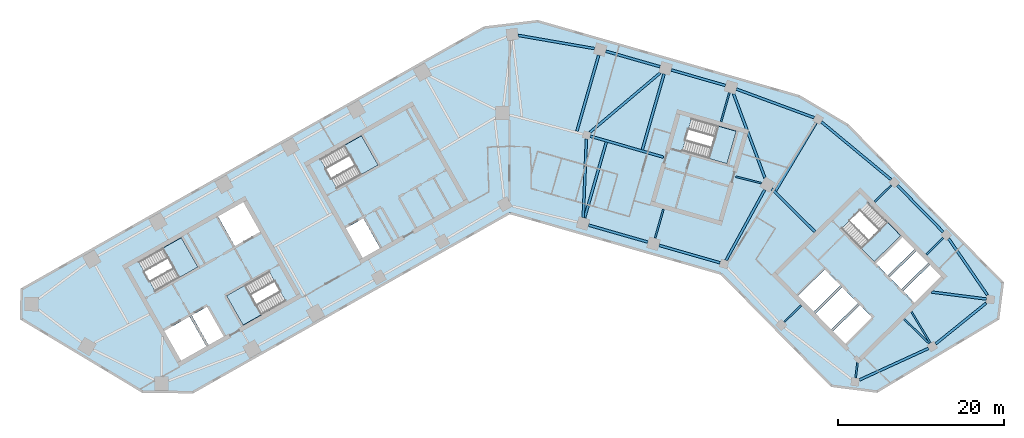
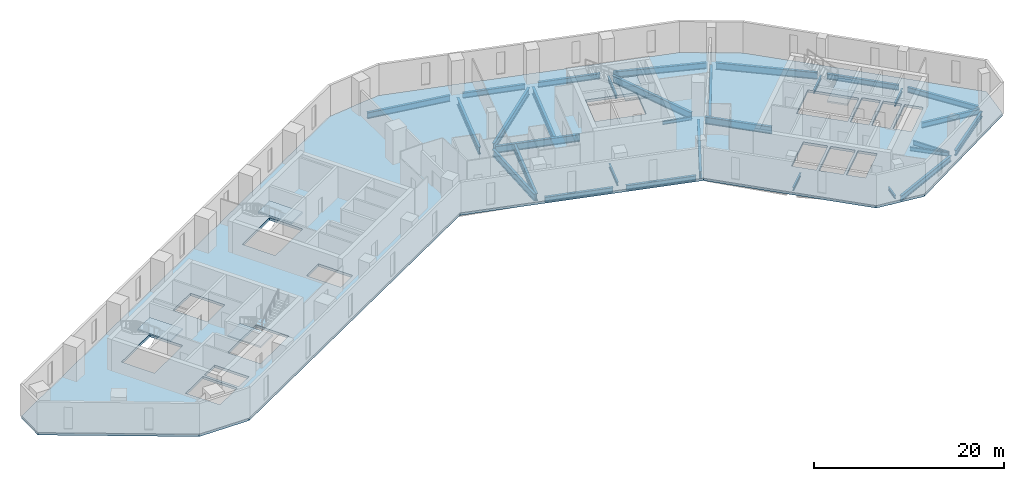
# One storey, part 2 of 10: 31 beams, 6 slabs, 5 elements without a shape of their own.
"""IFC4 building model written with IfcOpenShell, lengths in metres."""

from ifc_helpers import new_model, si_unit, direction, frame, origin, origin_2d, place, context, subcontext, project, spatial, polyline, i_section, outline, extrude, material, layer, layer_set, material_profile, profile_set, type_object, element, aggregate, save


model = new_model("IFC4")

# Units and contexts
model_context = context("Model", 3, precision=1e-05, world=origin(), true_north=direction((0.0, 1.0)))
body_context = subcontext(model_context, "Body", "Model", "MODEL_VIEW")
ifc_project = project(units=[si_unit("LENGTHUNIT", "METRE"), si_unit("AREAUNIT", "SQUARE_METRE"), si_unit("VOLUMEUNIT", "CUBIC_METRE"), si_unit("PLANEANGLEUNIT", "RADIAN"), si_unit("MASSUNIT", "GRAM", prefix="KILO")], contexts=[model_context])

# Site, building, storey
site_placement = place(None, origin())
site = spatial("IfcSite", under=ifc_project, at=site_placement, CompositionType="ELEMENT")
building_placement = place(site_placement, origin())
building = spatial("IfcBuilding", under=site, at=building_placement, Name="Binnacle Exchange Tower", CompositionType="ELEMENT")
storey_placement = place(building_placement, frame((0.0, 0.0, 145.5)))
storey = spatial("IfcBuildingStorey", under=building, at=storey_placement, Name="L30", CompositionType="ELEMENT", Elevation=145.5)

# Beams
ifc_material_1 = material(Name="Steel S355 (SHN355)", Category="steel")
ifc_material_profile_1 = material_profile(ifc_material_1, i_section(OverallWidth=0.300048828125, OverallDepth=0.699951171875, WebThickness=0.012939453125, FlangeThickness=0.02392578125, FilletRadius=0.028076171875, at=origin_2d()), Name="H 700x300x13x24")
ifc_profile_set_1 = profile_set([ifc_material_profile_1], Name="Steel S355 (SHN355)")
beam_type_1 = type_object("IfcBeamType", Name="Edge girder H 700x300x13x24 Steel S355 (SHN355)", PredefinedType="SPANDREL", material=ifc_profile_set_1)
beam_1_placement = place(storey_placement, frame((9.482421875, 46.529296875, -0.669921875), z_axis=(0.961257800717, -0.275650939705, 0.0), x_axis=(0.275650939705, 0.961257800717, 0.0)))
element("IfcBeam", 1, at=beam_1_placement, inside=storey, type_object=beam_type_1, Name="S:BM:edge:L30:030", PredefinedType="SPANDREL", context=body_context, shape_type="SweptSolid", body=[
    extrude(i_section(OverallWidth=0.300048828125, OverallDepth=0.699951171875, WebThickness=0.012939453125, FlangeThickness=0.02392578125, FilletRadius=0.028076171875, at=origin_2d()), origin(), (0.0, 0.0, 1.0), 7.42041015625),
])
beam_2_placement = place(storey_placement, frame((17.961181640625, 44.09814453125, -0.669921875), z_axis=(0.961257524102, -0.275651904325, 0.0), x_axis=(0.275651904325, 0.961257524102, 0.0)))
element("IfcBeam", 2, at=beam_2_placement, inside=storey, type_object=beam_type_1, Name="S:BM:edge:L30:032", PredefinedType="SPANDREL", context=body_context, shape_type="SweptSolid", body=[
    extrude(i_section(OverallWidth=0.300048828125, OverallDepth=0.699951171875, WebThickness=0.012939453125, FlangeThickness=0.02392578125, FilletRadius=0.028076171875, at=origin_2d()), origin(), (0.0, 0.0, 1.0), 7.620361328125),
])
for number, where, z_axis, x_axis, name in (
    (3, (18.073486328125, 65.569091796875, -0.669921875), (-0.961258249907, 0.275649373272, 0.0), (-0.275649373272, -0.961258249907, 0.0), "S:BM:edge:L30:033"),
    (4, (25.9296875, 63.31640625, -0.669921875), (-0.961258249907, 0.275649373272, 0.0), (-0.275649373272, -0.961258249907, 0.0), "S:BM:edge:L30:034"),
):
    element("IfcBeam", number, at=place(storey_placement, frame(where, z_axis=z_axis, x_axis=x_axis)), inside=storey, type_object=beam_type_1, Name=name, PredefinedType="SPANDREL", context=body_context, shape_type="SweptSolid", body=[
        extrude(i_section(OverallWidth=0.300048828125, OverallDepth=0.699951171875, WebThickness=0.012939453125, FlangeThickness=0.02392578125, FilletRadius=0.028076171875, at=origin_2d()), origin(), (0.0, 0.0, 1.0), 6.77294921875),
    ])
beam_3_placement = place(storey_placement, frame((51.20458984375, 32.248291015625, -0.669921875), z_axis=(0.777570349394, 0.628795953981, 0.0), x_axis=(-0.628795953981, 0.777570349394, 0.0)))
element("IfcBeam", 5, at=beam_3_placement, inside=storey, type_object=beam_type_1, Name="S:BM:edge:L30:040", PredefinedType="SPANDREL", context=body_context, shape_type="SweptSolid", body=[
    extrude(i_section(OverallWidth=0.300048828125, OverallDepth=0.699951171875, WebThickness=0.012939453125, FlangeThickness=0.02392578125, FilletRadius=0.028076171875, at=origin_2d()), origin(), (0.0, 0.0, 1.0), 7.788330078125),
])
beam_4_placement = place(storey_placement, frame((52.1162109375, 45.69580078125, -0.669921875), z_axis=(-0.700892629455, 0.713266795789, 0.0), x_axis=(-0.713266795789, -0.700892629455, 0.0)))
element("IfcBeam", 6, at=beam_4_placement, inside=storey, type_object=beam_type_1, Name="S:BM:edge:L30:041", PredefinedType="SPANDREL", context=body_context, shape_type="SweptSolid", body=[
    extrude(i_section(OverallWidth=0.300048828125, OverallDepth=0.699951171875, WebThickness=0.012939453125, FlangeThickness=0.02392578125, FilletRadius=0.028076171875, at=origin_2d()), origin(), (0.0, 0.0, 1.0), 7.872314453125),
])
beam_5_placement = place(storey_placement, frame((57.41943359375, 38.13330078125, -0.669921875), z_axis=(-0.566410561214, 0.824123216604, 0.0), x_axis=(-0.824123216604, -0.566410561214, 0.0)))
element("IfcBeam", 7, at=beam_5_placement, inside=storey, type_object=beam_type_1, Name="S:BM:edge:L30:042", PredefinedType="SPANDREL", context=body_context, shape_type="SweptSolid", body=[
    extrude(i_section(OverallWidth=0.300048828125, OverallDepth=0.699951171875, WebThickness=0.012939453125, FlangeThickness=0.02392578125, FilletRadius=0.028076171875, at=origin_2d()), origin(), (0.0, 0.0, 1.0), 8.236083984375),
])
ifc_material_profile_2 = material_profile(ifc_material_1, i_section(OverallWidth=0.302001953125, OverallDepth=0.7080078125, WebThickness=0.014892578125, FlangeThickness=0.028076171875, FilletRadius=0.028076171875, at=origin_2d()), Name="H 708x302x15x28")
ifc_profile_set_2 = profile_set([ifc_material_profile_2], Name="Steel S355 (SHN355)")
beam_type_2 = type_object("IfcBeamType", Name="Edge girder H 708x302x15x28 Steel S355 (SHN355)", PredefinedType="SPANDREL", material=ifc_profile_set_2)
beam_6_placement = place(storey_placement, frame((42.054931640625, 27.919921875, -0.674072265625), z_axis=(0.909166515566, 0.41643276405, 0.0), x_axis=(-0.41643276405, 0.909166515566, 0.0)))
element("IfcBeam", 8, at=beam_6_placement, inside=storey, type_object=beam_type_2, Name="S:BM:edge:L30:038", PredefinedType="SPANDREL", context=body_context, shape_type="SweptSolid", body=[
    extrude(i_section(OverallWidth=0.302001953125, OverallDepth=0.7080078125, WebThickness=0.014892578125, FlangeThickness=0.028076171875, FilletRadius=0.028076171875, at=origin_2d()), origin(), (0.0, 0.0, 1.0), 9.128662109375),
])
ifc_material_profile_3 = material_profile(ifc_material_1, i_section(OverallWidth=0.300048828125, OverallDepth=0.800048828125, WebThickness=0.013916015625, FlangeThickness=0.02587890625, FilletRadius=0.028076171875, at=origin_2d()), Name="H 800x300x14x26")
ifc_profile_set_3 = profile_set([ifc_material_profile_3], Name="Steel S355 (SHN355)")
beam_type_3 = type_object("IfcBeamType", Name="Edge girder H 800x300x14x26 Steel S355 (SHN355)", PredefinedType="SPANDREL", material=ifc_profile_set_3)
beam_7_placement = place(storey_placement, frame((10.1962890625, 67.749267578125, -0.719970703125), z_axis=(-0.985312784176, 0.170759237931, 0.0), x_axis=(-0.170759237931, -0.985312784176, 0.0)))
element("IfcBeam", 9, at=beam_7_placement, inside=storey, type_object=beam_type_3, Name="S:BM:edge:L30:031", PredefinedType="SPANDREL", context=body_context, shape_type="SweptSolid", body=[
    extrude(i_section(OverallWidth=0.300048828125, OverallDepth=0.800048828125, WebThickness=0.013916015625, FlangeThickness=0.02587890625, FilletRadius=0.028076171875, at=origin_2d()), origin(), (0.0, 0.0, 1.0), 9.313232421875),
])
ifc_material_profile_4 = material_profile(ifc_material_1, i_section(OverallWidth=0.302001953125, OverallDepth=0.80810546875, WebThickness=0.01611328125, FlangeThickness=0.030029296875, FilletRadius=0.028076171875, at=origin_2d()), Name="H 808x302x16x30")
ifc_profile_set_4 = profile_set([ifc_material_profile_4], Name="Steel S355 (SHN355)")
beam_type_4 = type_object("IfcBeamType", Name="Edge girder H 808x302x16x30 Steel S355 (SHN355)", PredefinedType="SPANDREL", material=ifc_profile_set_4)
beam_8_placement = place(storey_placement, frame((36.60791015625, 59.438232421875, -0.72412109375), z_axis=(-0.938371988478, 0.3456269828, 0.0), x_axis=(-0.3456269828, -0.938371988478, 0.0)))
element("IfcBeam", 10, at=beam_8_placement, inside=storey, type_object=beam_type_4, Name="S:BM:edge:L30:037", PredefinedType="SPANDREL", context=body_context, shape_type="SweptSolid", body=[
    extrude(i_section(OverallWidth=0.302001953125, OverallDepth=0.80810546875, WebThickness=0.01611328125, FlangeThickness=0.030029296875, FilletRadius=0.028076171875, at=origin_2d()), origin(), (0.0, 0.0, 1.0), 9.96044921875),
])
ifc_material_profile_5 = material_profile(ifc_material_1, i_section(OverallWidth=0.300048828125, OverallDepth=0.89990234375, WebThickness=0.01611328125, FlangeThickness=0.028076171875, FilletRadius=0.028076171875, at=origin_2d()), Name="H 900x300x16x28")
ifc_profile_set_5 = profile_set([ifc_material_profile_5], Name="Steel S355 (SHN355)")
beam_type_5 = type_object("IfcBeamType", Name="Edge girder H 900x300x16x28 Steel S355 (SHN355)", PredefinedType="SPANDREL", material=ifc_profile_set_5)
beam_9_placement = place(storey_placement, frame((45.861083984375, 51.988037109375, -0.77001953125), z_axis=(-0.769903256509, 0.63816061898, 0.0), x_axis=(-0.63816061898, -0.769903256509, 0.0)))
element("IfcBeam", 11, at=beam_9_placement, inside=storey, type_object=beam_type_5, Name="S:BM:edge:L30:039", PredefinedType="SPANDREL", context=body_context, shape_type="SweptSolid", body=[
    extrude(i_section(OverallWidth=0.300048828125, OverallDepth=0.89990234375, WebThickness=0.01611328125, FlangeThickness=0.028076171875, FilletRadius=0.028076171875, at=origin_2d()), origin(), (0.0, 0.0, 1.0), 10.892822265625),
])
ifc_material_profile_6 = material_profile(ifc_material_1, i_section(OverallWidth=0.199951171875, OverallDepth=0.39990234375, WebThickness=0.008056640625, FlangeThickness=0.012939453125, FilletRadius=0.01611328125, at=origin_2d()), Name="H 400x200x8x13")
ifc_profile_set_6 = profile_set([ifc_material_profile_6], Name="Steel S355 (SHN355)")
beam_type_6 = type_object("IfcBeamType", Name="Floor beam H 400x200x8x13 Steel S355 (SHN355)", PredefinedType="BEAM", material=ifc_profile_set_6)
beam_10_placement = place(storey_placement, frame((41.582763671875, 28.1708984375, -0.52001953125), z_axis=(0.12626620762, 0.991996393549, 0.0), x_axis=(-0.991996393549, 0.12626620762, 0.0)))
element("IfcBeam", 12, at=beam_10_placement, inside=storey, type_object=beam_type_6, Name="S:BM:cross:L30:063", PredefinedType="BEAM", context=body_context, shape_type="SweptSolid", body=[
    extrude(i_section(OverallWidth=0.199951171875, OverallDepth=0.39990234375, WebThickness=0.008056640625, FlangeThickness=0.012939453125, FilletRadius=0.01611328125, at=origin_2d()), origin(), (0.0, 0.0, 1.0), 1.8310546875),
])
ifc_material_profile_7 = material_profile(ifc_material_1, i_section(OverallWidth=0.199951171875, OverallDepth=0.449951171875, WebThickness=0.009033203125, FlangeThickness=0.013916015625, FilletRadius=0.01806640625, at=origin_2d()), Name="H 450x200x9x14")
ifc_profile_set_7 = profile_set([ifc_material_profile_7], Name="Steel S355 (SHN355)")
beam_type_7 = type_object("IfcBeamType", Name="Floor beam H 450x200x9x14 Steel S355 (SHN355)", PredefinedType="BEAM", material=ifc_profile_set_7)
for number, where, z_axis, x_axis, name in (
    (13, (32.997802734375, 34.880615234375, -0.544921875), (0.713272005304, 0.700887327928, 0.0), (-0.700887327928, 0.713272005304, 0.0), "S:BM:cross:L30:061"),
    (14, (45.8916015625, 51.31689453125, -0.544921875), (-0.713272005304, -0.700887327928, 0.0), (0.700887327928, -0.713272005304, 0.0), "S:BM:cross:L30:064"),
    (15, (52.110107421875, 44.98876953125, -0.544921875), (-0.713272005304, -0.700887327928, 0.0), (0.700887327928, -0.713272005304, 0.0), "S:BM:cross:L30:066"),
):
    element("IfcBeam", number, at=place(storey_placement, frame(where, z_axis=z_axis, x_axis=x_axis)), inside=storey, type_object=beam_type_7, Name=name, PredefinedType="BEAM", context=body_context, shape_type="SweptSolid", body=[
        extrude(i_section(OverallWidth=0.199951171875, OverallDepth=0.449951171875, WebThickness=0.009033203125, FlangeThickness=0.013916015625, FilletRadius=0.01806640625, at=origin_2d()), origin(), (0.0, 0.0, 1.0), 2.8583984375),
    ])
ifc_material_profile_8 = material_profile(ifc_material_1, i_section(OverallWidth=0.200927734375, OverallDepth=0.506103515625, WebThickness=0.010986328125, FlangeThickness=0.01904296875, FilletRadius=0.02001953125, at=origin_2d()), Name="H 506x201x11x19")
ifc_profile_set_8 = profile_set([ifc_material_profile_8], Name="Steel S355 (SHN355)")
beam_type_8 = type_object("IfcBeamType", Name="Floor beam H 506x201x11x19 Steel S355 (SHN355)", PredefinedType="BEAM", material=ifc_profile_set_8)
beam_11_placement = place(storey_placement, frame((17.481201171875, 44.964111328125, -0.572998046875), z_axis=(0.275643564404, 0.961259915633, 0.0), x_axis=(-0.961259915633, 0.275643564404, 0.0)))
element("IfcBeam", 16, at=beam_11_placement, inside=storey, type_object=beam_type_8, Name="S:BM:cross:L30:058", PredefinedType="BEAM", context=body_context, shape_type="SweptSolid", body=[
    extrude(i_section(OverallWidth=0.200927734375, OverallDepth=0.506103515625, WebThickness=0.010986328125, FlangeThickness=0.01904296875, FilletRadius=0.02001953125, at=origin_2d()), origin(), (0.0, 0.0, 1.0), 3.635009765625),
])
beam_12_placement = place(storey_placement, frame((26.409912109375, 62.45068359375, -0.572998046875), z_axis=(-0.275687825643, -0.961247222515, 0.0), x_axis=(0.961247222515, -0.275687825643, 0.0)))
element("IfcBeam", 17, at=beam_12_placement, inside=storey, type_object=beam_type_8, Name="S:BM:cross:L30:060", PredefinedType="BEAM", context=body_context, shape_type="SweptSolid", body=[
    extrude(i_section(OverallWidth=0.200927734375, OverallDepth=0.506103515625, WebThickness=0.010986328125, FlangeThickness=0.01904296875, FilletRadius=0.02001953125, at=origin_2d()), origin(), (0.0, 0.0, 1.0), 3.63525390625),
])
ifc_material_profile_9 = material_profile(ifc_material_1, i_section(OverallWidth=0.199951171875, OverallDepth=0.60009765625, WebThickness=0.010986328125, FlangeThickness=0.01708984375, FilletRadius=0.02197265625, at=origin_2d()), Name="H 600x200x11x17")
ifc_profile_set_9 = profile_set([ifc_material_profile_9], Name="Steel S355 (SHN355)")
beam_type_9 = type_object("IfcBeamType", Name="Floor beam H 600x200x11x17 Steel S355 (SHN355)", PredefinedType="BEAM", material=ifc_profile_set_9)
beam_13_placement = place(storey_placement, frame((50.554443359375, 32.359619140625, -0.6201171875), z_axis=(-0.515054637465, 0.857157348697, 0.0), x_axis=(-0.857157348697, -0.515054637465, 0.0)))
element("IfcBeam", 18, at=beam_13_placement, inside=storey, type_object=beam_type_9, Name="S:BM:cross:L30:065", PredefinedType="BEAM", context=body_context, shape_type="SweptSolid", body=[
    extrude(i_section(OverallWidth=0.199951171875, OverallDepth=0.60009765625, WebThickness=0.010986328125, FlangeThickness=0.01708984375, FilletRadius=0.02197265625, at=origin_2d()), origin(), (0.0, 0.0, 1.0), 4.367431640625),
])
ifc_material_profile_10 = material_profile(ifc_material_1, i_section(OverallWidth=0.300048828125, OverallDepth=0.699951171875, WebThickness=0.012939453125, FlangeThickness=0.02392578125, FilletRadius=0.028076171875, at=origin_2d()), Name="H 700x300x13x24")
ifc_profile_set_10 = profile_set([ifc_material_profile_10], Name="Steel S355 (SHN355)")
beam_type_10 = type_object("IfcBeamType", Name="Floor beam H 700x300x13x24 Steel S355 (SHN355)", PredefinedType="BEAM", material=ifc_profile_set_10)
beam_14_placement = place(storey_placement, frame((57.302978515625, 37.64404296875, -0.669921875), z_axis=(-0.992004198178, 0.12620487628, 0.0), x_axis=(-0.12620487628, -0.992004198178, 0.0)))
element("IfcBeam", 19, at=beam_14_placement, inside=storey, type_object=beam_type_10, Name="S:BM:cross:L30:067", PredefinedType="BEAM", context=body_context, shape_type="SweptSolid", body=[
    extrude(i_section(OverallWidth=0.300048828125, OverallDepth=0.699951171875, WebThickness=0.012939453125, FlangeThickness=0.02392578125, FilletRadius=0.028076171875, at=origin_2d()), origin(), (0.0, 0.0, 1.0), 6.63134765625),
])
ifc_material_profile_11 = material_profile(ifc_material_1, i_section(OverallWidth=0.302978515625, OverallDepth=0.91796875, WebThickness=0.01904296875, FlangeThickness=0.037109375, FilletRadius=0.028076171875, at=origin_2d()), Name="H 918x303x19x37")
ifc_profile_set_11 = profile_set([ifc_material_profile_11], Name="Steel S355 (SHN355)")
beam_type_11 = type_object("IfcBeamType", Name="Floor beam H 918x303x19x37 Steel S355 (SHN355)", PredefinedType="BEAM", material=ifc_profile_set_11)
beam_15_placement = place(storey_placement, frame((9.00244140625, 47.395263671875, -0.779052734375), z_axis=(0.275642274849, 0.961260285415, 0.0), x_axis=(-0.961260285415, 0.275642274849, 0.0)))
element("IfcBeam", 20, at=beam_15_placement, inside=storey, type_object=beam_type_11, Name="S:BM:cross:L30:056", PredefinedType="BEAM", context=body_context, shape_type="SweptSolid", body=[
    extrude(i_section(OverallWidth=0.302978515625, OverallDepth=0.91796875, WebThickness=0.01904296875, FlangeThickness=0.037109375, FilletRadius=0.028076171875, at=origin_2d()), origin(), (0.0, 0.0, 1.0), 9.485107421875),
])
beam_16_placement = place(storey_placement, frame((10.697021484375, 66.9560546875, -0.779052734375), z_axis=(-0.27562260808, -0.961265924661, 0.0), x_axis=(0.961265924661, -0.27562260808, 0.0)))
element("IfcBeam", 21, at=beam_16_placement, inside=storey, type_object=beam_type_11, Name="S:BM:cross:L30:057", PredefinedType="BEAM", context=body_context, shape_type="SweptSolid", body=[
    extrude(i_section(OverallWidth=0.302978515625, OverallDepth=0.91796875, WebThickness=0.01904296875, FlangeThickness=0.037109375, FilletRadius=0.028076171875, at=origin_2d()), origin(), (0.0, 0.0, 1.0), 9.51318359375),
])
beam_17_placement = place(storey_placement, frame((18.553466796875, 64.703369140625, -0.779052734375), z_axis=(-0.275642274849, -0.961260285415, 0.0), x_axis=(0.961260285415, -0.275642274849, 0.0)))
element("IfcBeam", 22, at=beam_17_placement, inside=storey, type_object=beam_type_11, Name="S:BM:cross:L30:059", PredefinedType="BEAM", context=body_context, shape_type="SweptSolid", body=[
    extrude(i_section(OverallWidth=0.302978515625, OverallDepth=0.91796875, WebThickness=0.01904296875, FlangeThickness=0.037109375, FilletRadius=0.028076171875, at=origin_2d()), origin(), (0.0, 0.0, 1.0), 9.485107421875),
])
beam_18_placement = place(storey_placement, frame((36.829345703125, 58.832763671875, -0.779052734375), z_axis=(-0.51129570724, -0.859404852068, 0.0), x_axis=(0.859404852068, -0.51129570724, 0.0)))
element("IfcBeam", 23, at=beam_18_placement, inside=storey, type_object=beam_type_11, Name="S:BM:cross:L30:062", PredefinedType="BEAM", context=body_context, shape_type="SweptSolid", body=[
    extrude(i_section(OverallWidth=0.302978515625, OverallDepth=0.91796875, WebThickness=0.01904296875, FlangeThickness=0.037109375, FilletRadius=0.028076171875, at=origin_2d()), origin(), (0.0, 0.0, 1.0), 9.5361328125),
])
ifc_material_profile_12 = material_profile(ifc_material_1, i_section(OverallWidth=0.199951171875, OverallDepth=0.449951171875, WebThickness=0.009033203125, FlangeThickness=0.013916015625, FilletRadius=0.01806640625, at=origin_2d()), Name="H 450x200x9x14")
ifc_profile_set_12 = profile_set([ifc_material_profile_12], Name="Steel S355 (SHN355)")
beam_type_12 = type_object("IfcBeamType", Name="Spine girder H 450x200x9x14 Steel S355 (SHN355)", PredefinedType="BEAM", material=ifc_profile_set_12)
beam_19_placement = place(storey_placement, frame((27.17138671875, 52.35400390625, -0.544921875), z_axis=(0.969348404361, -0.245690193055, 0.0), x_axis=(0.245690193055, 0.969348404361, 0.0)))
element("IfcBeam", 24, at=beam_19_placement, inside=storey, type_object=beam_type_12, Name="S:BM:spine:L30:010", PredefinedType="BEAM", context=body_context, shape_type="SweptSolid", body=[
    extrude(i_section(OverallWidth=0.199951171875, OverallDepth=0.449951171875, WebThickness=0.009033203125, FlangeThickness=0.013916015625, FilletRadius=0.01806640625, at=origin_2d()), origin(), (0.0, 0.0, 1.0), 3.20361328125),
])
ifc_material_profile_13 = material_profile(ifc_material_1, i_section(OverallWidth=0.200927734375, OverallDepth=0.506103515625, WebThickness=0.010986328125, FlangeThickness=0.01904296875, FilletRadius=0.02001953125, at=origin_2d()), Name="H 506x201x11x19")
ifc_profile_set_13 = profile_set([ifc_material_profile_13], Name="Steel S355 (SHN355)")
beam_type_13 = type_object("IfcBeamType", Name="Spine girder H 506x201x11x19 Steel S355 (SHN355)", PredefinedType="BEAM", material=ifc_profile_set_13)
beam_20_placement = place(storey_placement, frame((47.417236328125, 35.23095703125, -0.572998046875), z_axis=(0.71705117811, -0.697020521915, 0.0), x_axis=(0.697020521915, 0.71705117811, 0.0)))
element("IfcBeam", 25, at=beam_20_placement, inside=storey, type_object=beam_type_13, Name="S:BM:spine:L30:014", PredefinedType="BEAM", context=body_context, shape_type="SweptSolid", body=[
    extrude(i_section(OverallWidth=0.200927734375, OverallDepth=0.506103515625, WebThickness=0.010986328125, FlangeThickness=0.01904296875, FilletRadius=0.02001953125, at=origin_2d()), origin(), (0.0, 0.0, 1.0), 4.21728515625),
])
ifc_material_profile_14 = material_profile(ifc_material_1, i_section(OverallWidth=0.300048828125, OverallDepth=0.89990234375, WebThickness=0.01611328125, FlangeThickness=0.028076171875, FilletRadius=0.028076171875, at=origin_2d()), Name="H 900x300x16x28")
ifc_profile_set_14 = profile_set([ifc_material_profile_14], Name="Steel S355 (SHN355)")
beam_type_14 = type_object("IfcBeamType", Name="Spine girder H 900x300x16x28 Steel S355 (SHN355)", PredefinedType="BEAM", material=ifc_profile_set_14)
beam_21_placement = place(storey_placement, frame((9.22216796875, 56.887451171875, -0.77001953125), z_axis=(-0.040573469093, -0.999176557774, 0.0), x_axis=(0.999176557774, -0.040573469093, 0.0)))
element("IfcBeam", 26, at=beam_21_placement, inside=storey, type_object=beam_type_14, Name="S:BM:spine:L30:007", PredefinedType="BEAM", context=body_context, shape_type="SweptSolid", body=[
    extrude(i_section(OverallWidth=0.300048828125, OverallDepth=0.89990234375, WebThickness=0.01611328125, FlangeThickness=0.028076171875, FilletRadius=0.028076171875, at=origin_2d()), origin(), (0.0, 0.0, 1.0), 9.453125),
])
beam_22_placement = place(storey_placement, frame((30.65234375, 50.771484375, -0.77001953125), z_axis=(-0.480722811784, -0.876872612316, 0.0), x_axis=(0.876872612316, -0.480722811784, 0.0)))
element("IfcBeam", 27, at=beam_22_placement, inside=storey, type_object=beam_type_14, Name="S:BM:spine:L30:011", PredefinedType="BEAM", context=body_context, shape_type="SweptSolid", body=[
    extrude(i_section(OverallWidth=0.300048828125, OverallDepth=0.89990234375, WebThickness=0.01611328125, FlangeThickness=0.028076171875, FilletRadius=0.028076171875, at=origin_2d()), origin(), (0.0, 0.0, 1.0), 9.650390625),
])
ifc_material_profile_15 = material_profile(ifc_material_1, i_section(OverallWidth=0.302978515625, OverallDepth=0.91796875, WebThickness=0.01904296875, FlangeThickness=0.037109375, FilletRadius=0.028076171875, at=origin_2d()), Name="H 918x303x19x37")
ifc_profile_set_15 = profile_set([ifc_material_profile_15], Name="Steel S355 (SHN355)")
beam_type_15 = type_object("IfcBeamType", Name="Spine girder H 918x303x19x37 Steel S355 (SHN355)", PredefinedType="BEAM", material=ifc_profile_set_15)
beam_23_placement = place(storey_placement, frame((9.65478515625, 57.69970703125, -0.779052734375), z_axis=(0.764067648684, 0.645136131552, 0.0), x_axis=(-0.645136131552, 0.764067648684, 0.0)))
element("IfcBeam", 28, at=beam_23_placement, inside=storey, type_object=beam_type_15, Name="S:BM:spine:L30:008", PredefinedType="BEAM", context=body_context, shape_type="SweptSolid", body=[
    extrude(i_section(OverallWidth=0.302978515625, OverallDepth=0.91796875, WebThickness=0.01904296875, FlangeThickness=0.037109375, FilletRadius=0.028076171875, at=origin_2d()), origin(), (0.0, 0.0, 1.0), 11.056396484375),
])
beam_24_placement = place(storey_placement, frame((9.673583984375, 57.226318359375, -0.779052734375), z_axis=(0.961256048299, -0.275657050715, 0.0), x_axis=(0.275657050715, 0.961256048299, 0.0)))
element("IfcBeam", 29, at=beam_24_placement, inside=storey, type_object=beam_type_15, Name="S:BM:spine:L30:009", PredefinedType="BEAM", context=body_context, shape_type="SweptSolid", body=[
    extrude(i_section(OverallWidth=0.302978515625, OverallDepth=0.91796875, WebThickness=0.01904296875, FlangeThickness=0.037109375, FilletRadius=0.028076171875, at=origin_2d()), origin(), (0.0, 0.0, 1.0), 9.1630859375),
])
beam_25_placement = place(storey_placement, frame((30.6806640625, 52.212890625, -0.779052734375), z_axis=(-0.350112820386, 0.93670753867, 0.0), x_axis=(-0.93670753867, -0.350112820386, 0.0)))
element("IfcBeam", 30, at=beam_25_placement, inside=storey, type_object=beam_type_15, Name="S:BM:spine:L30:012", PredefinedType="BEAM", context=body_context, shape_type="SweptSolid", body=[
    extrude(i_section(OverallWidth=0.302978515625, OverallDepth=0.91796875, WebThickness=0.01904296875, FlangeThickness=0.037109375, FilletRadius=0.028076171875, at=origin_2d()), origin(), (0.0, 0.0, 1.0), 10.777099609375),
])
beam_26_placement = place(storey_placement, frame((31.499755859375, 50.8818359375, -0.779052734375), z_axis=(0.710998016372, -0.703194013566, 0.0), x_axis=(0.703194013566, 0.710998016372, 0.0)))
element("IfcBeam", 31, at=beam_26_placement, inside=storey, type_object=beam_type_15, Name="S:BM:spine:L30:013", PredefinedType="BEAM", context=body_context, shape_type="SweptSolid", body=[
    extrude(i_section(OverallWidth=0.302978515625, OverallDepth=0.91796875, WebThickness=0.01904296875, FlangeThickness=0.037109375, FilletRadius=0.028076171875, at=origin_2d()), origin(), (0.0, 0.0, 1.0), 7.320556640625),
])

# Slab
ifc_material_2 = material(Name="Concrete C35/45", Category="concrete")
ifc_layer_1 = layer(ifc_material_2, 0.320068359375)
ifc_layer_set_1 = layer_set([ifc_layer_1], Name="Floor slab 320 Concrete C35/45")
slab_type_1 = type_object("IfcSlabType", Name="Floor slab 320 Concrete C35/45", PredefinedType="FLOOR", material=ifc_layer_set_1)
slab_1_placement = place(storey_placement, frame((0.0, 0.0, -0.320068359375)))
element("IfcSlab", 32, at=slab_1_placement, inside=storey, type_object=slab_type_1, Name="S:SL:L30:01", PredefinedType="FLOOR", context=body_context, shape_type="SweptSolid", body=[
    extrude(outline(polyline([(59.262939453125, 39.5791015625), (58.716064453125, 35.280029296875), (44.14404296875, 26.5244140625), (38.69091796875, 27.21826171875), (25.43603515625, 40.706298828125), (0.0, 48.0), (-38.097900390625, 26.4453125), (-44.14404296875, 26.5244140625), (-58.716064453125, 35.280029296875), (-58.669921875, 38.80615234375), (-3.046142578125, 70.276611328125), (3.364501953125, 71.035400390625), (34.789794921875, 62.024169921875), (40.607421875, 58.56298828125), (59.262939453125, 39.5791015625)]), holes=[polyline([(-38.4794921875, 35.529296875), (-41.61279296875, 33.756591796875), (-39.544677734375, 30.10107421875), (-36.411376953125, 31.873779296875), (-38.4794921875, 35.529296875)]), polyline([(-34.322509765625, 33.0556640625), (-36.390625, 36.711181640625), (-38.21826171875, 35.677001953125), (-36.150146484375, 32.021484375), (-34.322509765625, 33.0556640625)]), polyline([(-34.040771484375, 38.04052734375), (-32.04638671875, 34.515625), (-26.9287109375, 37.4111328125), (-28.923095703125, 40.93603515625), (-34.040771484375, 38.04052734375)]), polyline([(-37.486572265625, 41.4912109375), (-39.480712890625, 45.01611328125), (-44.598388671875, 42.12060546875), (-42.604248046875, 38.595703125), (-37.486572265625, 41.4912109375)]), polyline([(-15.53076171875, 43.6875), (-17.598876953125, 47.343017578125), (-19.77490234375, 46.11181640625), (-17.70654296875, 42.456298828125), (-15.53076171875, 43.6875)]), polyline([(-29.914306640625, 45.775390625), (-31.982666015625, 49.430908203125), (-35.115966796875, 47.657958984375), (-33.047607421875, 44.00244140625), (-29.914306640625, 45.775390625)]), polyline([(-15.822509765625, 53.748046875), (-17.81689453125, 57.27294921875), (-22.760498046875, 54.47607421875), (-20.76611328125, 50.950927734375), (-15.822509765625, 53.748046875)]), polyline([(26.111328125, 53.9169921875), (27.227783203125, 57.810302734375), (21.864013671875, 59.348388671875), (20.74755859375, 55.455078125), (26.111328125, 53.9169921875)]), polyline([(40.268798828125, 32.201904296875), (43.549560546875, 35.426025390625), (42.07763671875, 36.923828125), (38.796875, 33.69970703125), (40.268798828125, 32.201904296875)]), polyline([(38.58642578125, 33.913818359375), (41.867431640625, 37.137939453125), (39.97509765625, 39.063720703125), (36.694091796875, 35.83935546875), (38.58642578125, 33.913818359375)]), polyline([(36.48388671875, 36.053466796875), (39.7646484375, 39.277587890625), (37.872314453125, 41.203369140625), (34.59130859375, 37.979248046875), (36.48388671875, 36.053466796875)]), polyline([(48.726806640625, 37.148681640625), (52.0078125, 40.372802734375), (50.577880859375, 41.827880859375), (47.296875, 38.603759765625), (48.726806640625, 37.148681640625)]), polyline([(47.086669921875, 38.817626953125), (50.36767578125, 42.0419921875), (48.944580078125, 43.48974609375), (45.663818359375, 40.265625), (47.086669921875, 38.817626953125)]), polyline([(45.45361328125, 40.4794921875), (48.734375, 43.703857421875), (47.3115234375, 45.151611328125), (44.030517578125, 41.927490234375), (45.45361328125, 40.4794921875)]), polyline([(43.8203125, 42.141357421875), (46.994384765625, 45.260498046875), (43.083251953125, 49.240478515625), (39.9091796875, 46.121337890625), (43.8203125, 42.141357421875)])]), origin(), (0.0, 0.0, 1.0), 0.320068359375),
])

# Stair, slab
stair_type = type_object("IfcStairType", Name="STAIR 26 RISERS 169", PredefinedType="HALF_TURN_STAIR", material=ifc_material_2)
stair_1_placement = place(storey_placement, origin())
stair_1 = element("IfcStair", 33, at=stair_1_placement, inside=storey, type_object=stair_type, Name="L30 Escape stair A1", PredefinedType="HALF_TURN_STAIR")
ifc_layer_2 = layer(ifc_material_2, 0.199951171875)
ifc_layer_set_2 = layer_set([ifc_layer_2], Name="STAIR LANDING 200")
slab_type_2 = type_object("IfcSlabType", Name="STAIR LANDING 200", PredefinedType="LANDING", material=ifc_layer_set_2)
slab_2_placement = place(storey_placement, frame((0.0, 0.0, 2.0)))
slab_2 = element("IfcSlab", 34, at=slab_2_placement, type_object=slab_type_2, Name="STA1 landing 1", PredefinedType="LANDING", context=body_context, shape_type="SweptSolid", body=[
    extrude(outline(polyline([(-39.714599609375, 40.23046875), (-37.486572265625, 41.4912109375), (-39.48095703125, 45.01611328125), (-41.708984375, 43.755615234375), (-39.714599609375, 40.23046875)])), origin(), (0.0, 0.0, 1.0), 0.199951171875),
])
aggregate(stair_1, [slab_2])

stair_2_placement = place(storey_placement, origin())
stair_2 = element("IfcStair", 35, at=stair_2_placement, inside=storey, type_object=stair_type, Name="L30 Escape stair A2", PredefinedType="HALF_TURN_STAIR")
slab_3_placement = place(storey_placement, frame((0.0, 0.0, 2.0)))
slab_3 = element("IfcSlab", 36, at=slab_3_placement, type_object=slab_type_2, Name="STA2 landing 1", PredefinedType="LANDING", context=body_context, shape_type="SweptSolid", body=[
    extrude(outline(polyline([(-31.8125, 39.30126953125), (-34.040771484375, 38.04052734375), (-32.04638671875, 34.515625), (-29.818359375, 35.7763671875), (-31.8125, 39.30126953125)])), origin(), (0.0, 0.0, 1.0), 0.199951171875),
])
aggregate(stair_2, [slab_3])

stair_3_placement = place(storey_placement, origin())
stair_3 = element("IfcStair", 37, at=stair_3_placement, inside=storey, type_object=stair_type, Name="L30 Escape stair B1", PredefinedType="HALF_TURN_STAIR")
slab_4_placement = place(storey_placement, frame((0.0, 0.0, 2.0)))
slab_4 = element("IfcSlab", 38, at=slab_4_placement, type_object=slab_type_2, Name="STB1 landing 1", PredefinedType="LANDING", context=body_context, shape_type="SweptSolid", body=[
    extrude(outline(polyline([(42.236328125, 43.75341796875), (43.8203125, 42.141357421875), (46.994384765625, 45.260498046875), (45.410400390625, 46.872314453125), (42.236328125, 43.75341796875)])), origin(), (0.0, 0.0, 1.0), 0.199951171875),
])
aggregate(stair_3, [slab_4])

stair_4_placement = place(storey_placement, origin())
stair_4 = element("IfcStair", 39, at=stair_4_placement, inside=storey, type_object=stair_type, Name="L30 Escape stair C1", PredefinedType="HALF_TURN_STAIR")
slab_5_placement = place(storey_placement, frame((0.0, 0.0, 2.0)))
slab_5 = element("IfcSlab", 40, at=slab_5_placement, type_object=slab_type_2, Name="STC1 landing 1", PredefinedType="LANDING", context=body_context, shape_type="SweptSolid", body=[
    extrude(outline(polyline([(-17.876708984375, 52.5859375), (-15.822509765625, 53.748046875), (-17.81689453125, 57.27294921875), (-19.870849609375, 56.11083984375), (-17.876708984375, 52.5859375)])), origin(), (0.0, 0.0, 1.0), 0.199951171875),
])
aggregate(stair_4, [slab_5])

stair_5_placement = place(storey_placement, origin())
stair_5 = element("IfcStair", 41, at=stair_5_placement, inside=storey, type_object=stair_type, Name="L30 Escape stair D1", PredefinedType="HALF_TURN_STAIR")
slab_6_placement = place(storey_placement, frame((0.0, 0.0, 2.0)))
slab_6 = element("IfcSlab", 42, at=slab_6_placement, type_object=slab_type_2, Name="STD1 landing 1", PredefinedType="LANDING", context=body_context, shape_type="SweptSolid", body=[
    extrude(outline(polyline([(23.93896484375, 54.5400390625), (26.111328125, 53.917236328125), (27.227783203125, 57.810302734375), (25.05517578125, 58.43310546875), (23.93896484375, 54.5400390625)])), origin(), (0.0, 0.0, 1.0), 0.199951171875),
])
aggregate(stair_5, [slab_6])

save(model, "model.ifc")
